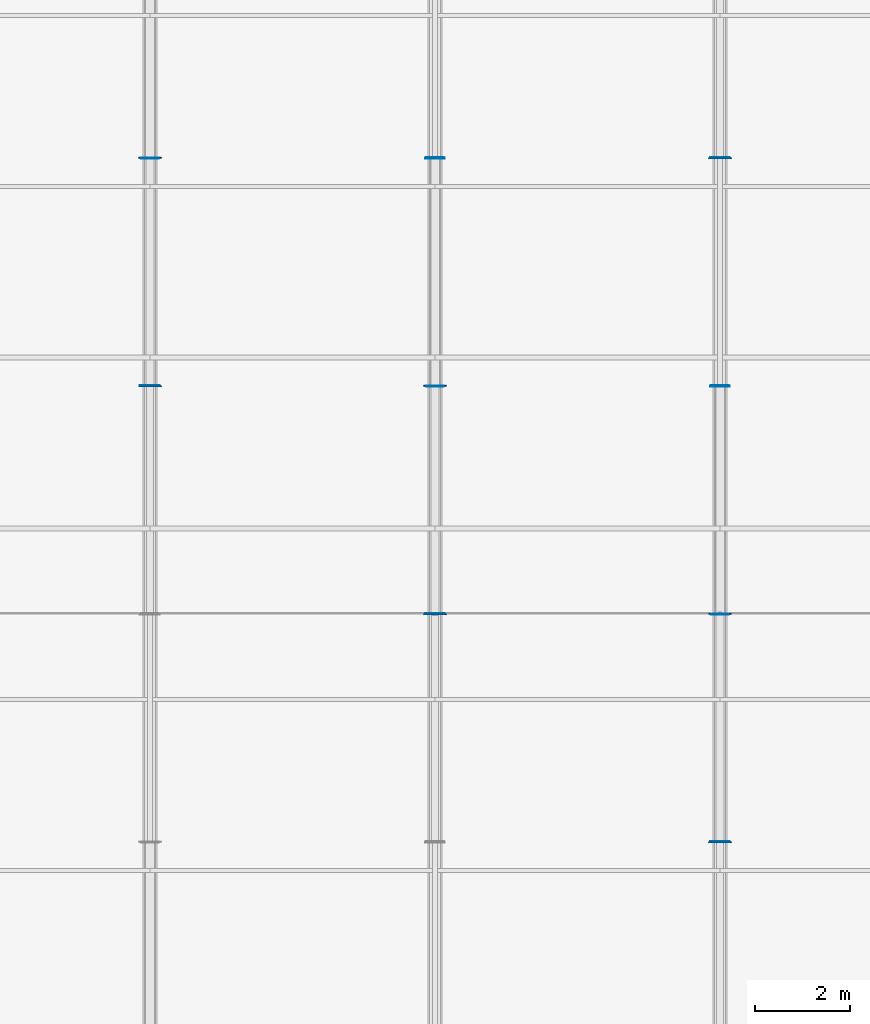
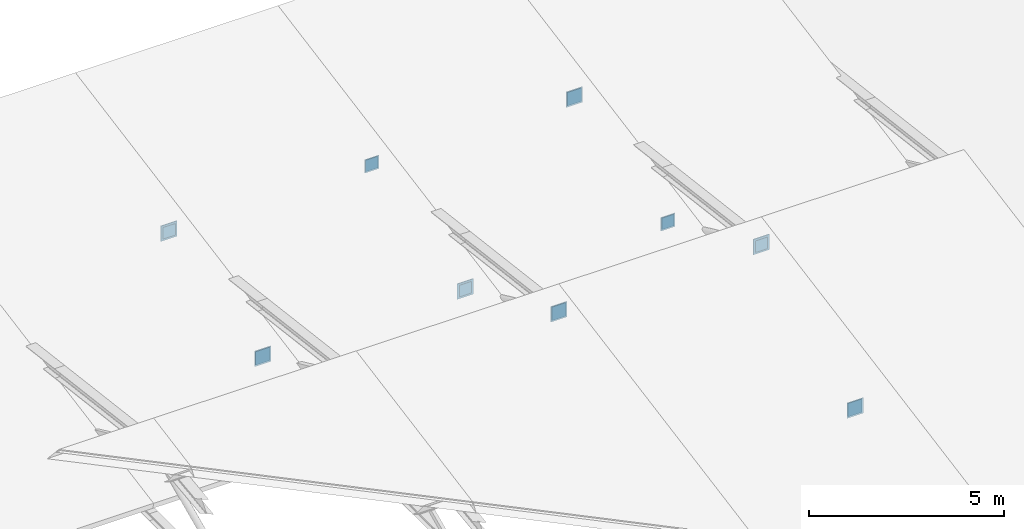
# One storey, part 17 of 32: 18 plates.
"""IFC4 building model written with IfcOpenShell, lengths in metres."""

from ifc_helpers import new_model, si_unit, direction, frame, origin, origin_2d, place, context, subcontext, project, spatial, rectangle, extrude, material, layer, layer_set, type_object, element, save


model = new_model("IFC4")

# Units and contexts
model_context = context("Model", 3, precision=1e-05, world=origin(), true_north=direction((0.0, 1.0)))
body_context = subcontext(model_context, "Body", "Model", "MODEL_VIEW")
ifc_project = project(units=[si_unit("LENGTHUNIT", "METRE"), si_unit("AREAUNIT", "SQUARE_METRE"), si_unit("VOLUMEUNIT", "CUBIC_METRE"), si_unit("PLANEANGLEUNIT", "RADIAN"), si_unit("MASSUNIT", "GRAM", prefix="KILO")], contexts=[model_context])

# Site, building, storey
site_placement = place(None, origin())
site = spatial("IfcSite", under=ifc_project, at=site_placement, CompositionType="ELEMENT")
building_placement = place(site_placement, origin())
building = spatial("IfcBuilding", under=site, at=building_placement, Name="Brisavento Harbour Community Centre", CompositionType="ELEMENT")
storey_placement = place(building_placement, frame((0.0, 0.0, 12.89990234375)))
storey = spatial("IfcBuildingStorey", under=building, at=storey_placement, Name="L03", CompositionType="ELEMENT", Elevation=12.89990234375)

# Plates
ifc_material = material(Name="Steel S355", Category="steel")
ifc_layer_1 = layer(ifc_material, 0.01611328125, Name="Steel S355")
ifc_layer_set_1 = layer_set([ifc_layer_1], Name="Steel S355")
plate_type_1 = type_object("IfcPlateType", Name="PLT-GUS-1", PredefinedType="USERDEFINED", material=ifc_layer_set_1)
for number, where, z_axis, x_axis, name in (
    (1, (147.60009765625, 110.39599609375, 0.82080078125), (0.0, 0.0, 1.0), (0.0, 1.0, 0.0), "V4-TR4-DG6 hollow-end cap plate 1"),
    (2, (153.60009765625, 105.59619140625, -0.1806640625), (0.0, 0.0, 1.0), (0.0, 1.0, 0.0), "V4-TR5-DG5 hollow-end cap plate 1"),
    (3, (153.60009765625, 110.40380859375, 0.82080078125), (0.0, 0.0, 1.0), (0.0, 1.0, 0.0), "V4-TR5-DG5 hollow-end cap plate 2"),
    (4, (159.60009765625, 100.79638671875, 2.021484375), (0.0, 0.0, 1.0), (0.0, 1.0, 0.0), "V4-TR6-DG4 hollow-end cap plate 1"),
    (5, (159.60009765625, 105.603759765625, -0.181640625), (0.0, 0.0, 1.0), (0.0, 1.0, 0.0), "V4-TR6-DG4 hollow-end cap plate 2"),
):
    element("IfcPlate", number, at=place(storey_placement, frame(where, z_axis=z_axis, x_axis=x_axis)), inside=storey, type_object=plate_type_1, Name=name, ObjectType="GUSSET PLATE", PredefinedType="USERDEFINED", context=body_context, shape_type="SweptSolid", body=[
        extrude(rectangle(XDim=0.01611328125, YDim=0.360107421875, at=origin_2d()), origin(), (0.0, 0.0, 1.0), 0.360107421875),
    ])
ifc_layer_2 = layer(ifc_material, 0.02001953125, Name="Steel S355")
ifc_layer_set_2 = layer_set([ifc_layer_2], Name="Steel S355")
plate_type_2 = type_object("IfcPlateType", Name="PLT-GUS-2", PredefinedType="USERDEFINED", material=ifc_layer_set_2)
for number, where, z_axis, x_axis, name in (
    (6, (147.60009765625, 105.6044921875, -0.2119140625), (0.0, 0.0, 1.0), (0.0, 1.0, 0.0), "V4-TR4-DG4 hollow-end cap plate 2"),
    (7, (153.60009765625, 100.804443359375, 1.9921875), (0.0, 0.0, 1.0), (0.0, 1.0, 0.0), "V4-TR5-DG3 hollow-end cap plate 2"),
    (8, (153.60009765625, 110.39501953125, 0.791259765625), (0.0, 0.0, 1.0), (0.0, 1.0, 0.0), "V4-TR5-DG6 hollow-end cap plate 1"),
    (9, (159.60009765625, 96.0048828125, -0.2109375), (0.0, 0.0, 1.0), (0.0, 1.0, 0.0), "V4-TR6-DG2 hollow-end cap plate 2"),
    (10, (159.60009765625, 105.59521484375, -0.2109375), (0.0, 0.0, 1.0), (0.0, 1.0, 0.0), "V4-TR6-DG5 hollow-end cap plate 1"),
    (11, (159.60009765625, 110.40478515625, 0.791259765625), (0.0, 0.0, 1.0), (0.0, 1.0, 0.0), "V4-TR6-DG5 hollow-end cap plate 2"),
):
    element("IfcPlate", number, at=place(storey_placement, frame(where, z_axis=z_axis, x_axis=x_axis)), inside=storey, type_object=plate_type_2, Name=name, ObjectType="GUSSET PLATE", PredefinedType="USERDEFINED", context=body_context, shape_type="SweptSolid", body=[
        extrude(rectangle(XDim=0.02001953125, YDim=0.419921875, at=origin_2d()), origin(), (0.0, 0.0, 1.0), 0.419921875),
    ])
ifc_layer_3 = layer(ifc_material, 0.02392578125, Name="Steel S355")
ifc_layer_set_3 = layer_set([ifc_layer_3], Name="Steel S355")
plate_type_3 = type_object("IfcPlateType", Name="PLT-GUS-3", PredefinedType="USERDEFINED", material=ifc_layer_set_3)
for number, where, z_axis, x_axis, name in (
    (12, (147.60009765625, 105.59423828125, -0.2412109375), (0.0, 0.0, 1.0), (0.0, 1.0, 0.0), "V4-TR4-DG5 hollow-end cap plate 1"),
    (13, (147.60009765625, 110.40576171875, 0.76123046875), (0.0, 0.0, 1.0), (0.0, 1.0, 0.0), "V4-TR4-DG5 hollow-end cap plate 2"),
    (14, (153.60009765625, 100.79443359375, 1.962646484375), (0.0, 0.0, 1.0), (0.0, 1.0, 0.0), "V4-TR5-DG4 hollow-end cap plate 1"),
    (15, (153.60009765625, 105.60546875, -0.242431640625), (0.0, 0.0, 1.0), (0.0, 1.0, 0.0), "V4-TR5-DG4 hollow-end cap plate 2"),
    (16, (159.60009765625, 95.99462890625, -0.242431640625), (0.0, 0.0, 1.0), (0.0, 1.0, 0.0), "V4-TR6-DG3 hollow-end cap plate 1"),
    (17, (159.60009765625, 100.805419921875, 1.962646484375), (0.0, 0.0, 1.0), (0.0, 1.0, 0.0), "V4-TR6-DG3 hollow-end cap plate 2"),
    (18, (159.60009765625, 110.39404296875, 0.76123046875), (0.0, 0.0, 1.0), (0.0, 1.0, 0.0), "V4-TR6-DG6 hollow-end cap plate 1"),
):
    element("IfcPlate", number, at=place(storey_placement, frame(where, z_axis=z_axis, x_axis=x_axis)), inside=storey, type_object=plate_type_3, Name=name, ObjectType="GUSSET PLATE", PredefinedType="USERDEFINED", context=body_context, shape_type="SweptSolid", body=[
        extrude(rectangle(XDim=0.02392578125, YDim=0.47998046875, at=origin_2d()), origin(), (0.0, 0.0, 1.0), 0.47998046875),
    ])

save(model, "model.ifc")
